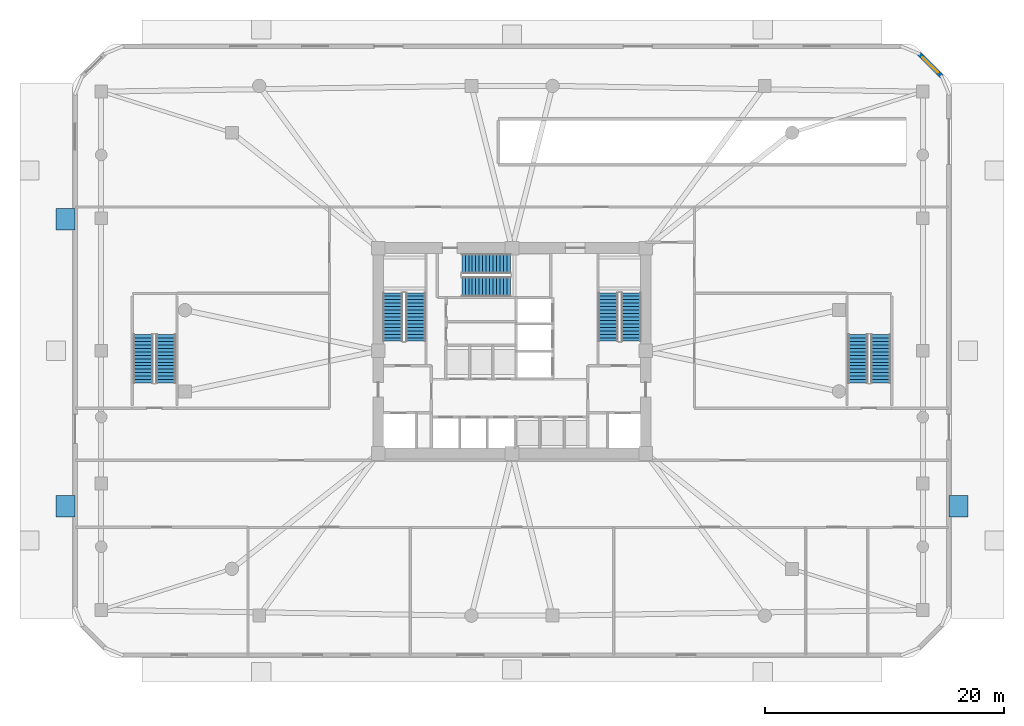
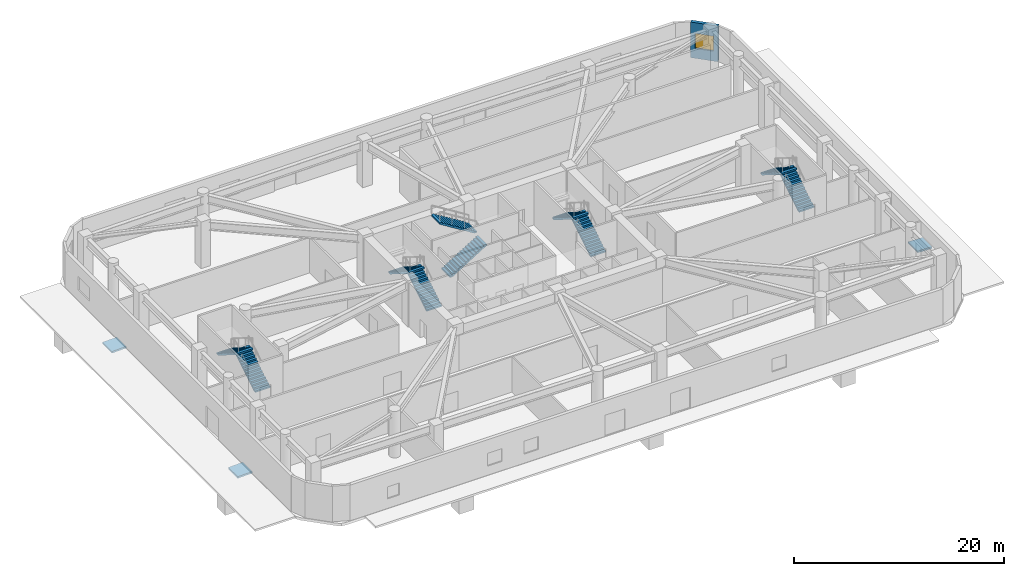
# One storey, part 6 of 9: 10 stair flights, 3 ramp flights, 1 wall, 1 window, 1 opening, 8 elements without a shape of their own.
"""IFC4 building model written with IfcOpenShell, lengths in metres."""

from ifc_helpers import new_model, si_unit, derived_unit, direction, frame, frame_2d, origin, place, context, subcontext, project, spatial, polyline, rectangle, outline, extrude, material, layer, layer_set, type_object, element, fill, aggregate, save


model = new_model("IFC4")

# Units and contexts
model_context = context("Model", 3, precision=1e-05, world=origin(), true_north=direction((0.0, 1.0)))
body_context = subcontext(model_context, "Body", "Model", "MODEL_VIEW")
ifc_project = project(units=[si_unit("LENGTHUNIT", "METRE"), si_unit("AREAUNIT", "SQUARE_METRE"), si_unit("VOLUMEUNIT", "CUBIC_METRE"), si_unit("PLANEANGLEUNIT", "RADIAN"), si_unit("MASSUNIT", "GRAM", prefix="KILO"), derived_unit("THERMALTRANSMITTANCEUNIT", [(si_unit("POWERUNIT", "WATT"), 1), (si_unit("LENGTHUNIT", "METRE"), -2), (si_unit("THERMODYNAMICTEMPERATUREUNIT", "KELVIN"), -1)])], contexts=[model_context])

# Site, building, storey
site_placement = place(None, origin())
site = spatial("IfcSite", under=ifc_project, at=site_placement, CompositionType="ELEMENT")
building_placement = place(site_placement, origin())
building = spatial("IfcBuilding", under=site, at=building_placement, Name="Koralith Skygarden Medical Center", CompositionType="ELEMENT")
storey_placement = place(building_placement, origin())
storey = spatial("IfcBuildingStorey", under=building, at=storey_placement, Name="L00", CompositionType="ELEMENT", Elevation=0.0)

# Wall, opening, window
ifc_material_1 = material(Name="Warm Oolitic Limestone Cladding", Category="masonry")
ifc_layer_1 = layer(ifc_material_1, 0.35009765625)
ifc_layer_set_1 = layer_set([ifc_layer_1], Name="Warm Oolitic Limestone Cladding")
wall_type = type_object("IfcWallType", Name="Podium Station Limestone Facade Wall 350", PredefinedType="SOLIDWALL", material=ifc_layer_set_1)
wall_placement = place(storey_placement, frame((72.97900390625, 48.8720703125, 0.0), z_axis=(0.0, 0.0, 1.0), x_axis=(-0.707106781187, 0.707106781187, 0.0)))
wall = element("IfcWall", 1, at=wall_placement, inside=storey, type_object=wall_type, Name="L00 Podium Exterior Limestone Wall NE", PredefinedType="SOLIDWALL", context=body_context, shape_type="SweptSolid", body=[
    extrude(rectangle(XDim=2.69677734375, YDim=0.35009765625, at=frame_2d((1.348388671875, 0.0))), origin(), (0.0, 0.0, 1.0), 4.139892578125),
])
opening_placement = place(wall_placement, frame((0.448974609375, 0.0, 1.14990234375)))
opening = element("IfcOpeningElement", 2, at=opening_placement, cuts=wall, Name="Opening W-02", PredefinedType="OPENING", context=body_context, shape_type="SweptSolid", body=[
    extrude(rectangle(XDim=1.800048828125, YDim=1.75, at=frame_2d((0.89990234375, 0.875))), frame((0.0, 0.18505859375, 0.0), z_axis=(0.0, -1.0, 0.0), x_axis=(1.0, 0.0, 0.0)), (0.0, 0.0, 1.0), 0.3701171875),
])
ifc_material_2 = material(Name="Clear Laminated Glass", Category="glass")
window_type = type_object("IfcWindowType", Name="Atrium Clerestory Punched Window W-02 1800x1750", PartitioningType="SINGLE_PANEL", PredefinedType="WINDOW", material=ifc_material_2)
window_placement = place(opening_placement, origin())
window = element("IfcWindow", 3, at=window_placement, inside=storey, type_object=window_type, Name="L00 NE Corner Clerestory Window", OverallHeight=1.75, OverallWidth=1.800048828125, PartitioningType="SINGLE_PANEL", PredefinedType="WINDOW", context=body_context, shape_type="SweptSolid", body=[
    extrude(rectangle(XDim=1.800048828125, YDim=1.75, at=frame_2d((0.89990234375, 0.875))), frame((0.0, 0.030029296875, 0.0), z_axis=(0.0, -1.0, 0.0), x_axis=(1.0, 0.0, 0.0)), (0.0, 0.0, 1.0), 0.06005859375),
])
fill(opening, window)

# Stair, stair flights
ifc_material_3 = material(Name="Concrete C45/55", Category="concrete")
stair_type = type_object("IfcStairType", Name="Core Exit Dogleg Concrete Stair", PredefinedType="HALF_TURN_STAIR", material=ifc_material_3)
stair_1_placement = place(storey_placement, origin())
stair_1 = element("IfcStair", 4, at=stair_1_placement, inside=storey, type_object=stair_type, Name="L00 Smokeproof Exit Stair ST1", PredefinedType="HALF_TURN_STAIR")
stair_flight_type = type_object("IfcStairFlightType", Name="Core Exit Concrete Stair Flight 1650", PredefinedType="STRAIGHT", material=ifc_material_3)
stair_flight_1_placement = place(storey_placement, frame((28.925048828125, 26.699951171875, 0.0), z_axis=(0.0, 0.0, 1.0), x_axis=(0.0, 1.0, 0.0)))
stair_flight_1 = element("IfcStairFlight", 5, at=stair_flight_1_placement, type_object=stair_flight_type, Name="ST1 flight 1", NumberOfRisers=15, NumberOfTreads=14, PredefinedType="STRAIGHT", RiserHeight=0.18, TreadLength=0.29, context=body_context, shape_type="SweptSolid", body=[
    extrude(outline(polyline([(0.0, 0.0), (0.0, 0.179931640625), (0.2900390625, 0.179931640625), (0.2900390625, 0.360107421875), (0.580078125, 0.360107421875), (0.580078125, 0.5400390625), (0.8701171875, 0.5400390625), (0.8701171875, 0.719970703125), (1.159912109375, 0.719970703125), (1.159912109375, 0.89990234375), (1.449951171875, 0.89990234375), (1.449951171875, 1.080078125), (1.739990234375, 1.080078125), (1.739990234375, 1.260009765625), (2.030029296875, 1.260009765625), (2.030029296875, 1.43994140625), (2.320068359375, 1.43994140625), (2.320068359375, 1.6201171875), (2.610107421875, 1.6201171875), (2.610107421875, 1.800048828125), (2.89990234375, 1.800048828125), (2.89990234375, 1.97998046875), (3.18994140625, 1.97998046875), (3.18994140625, 2.159912109375), (3.47998046875, 2.159912109375), (3.47998046875, 2.340087890625), (3.77001953125, 2.340087890625), (3.77001953125, 2.52001953125), (4.06005859375, 2.52001953125), (4.06005859375, 2.699951171875), (4.06005859375, 2.343505859375), (0.2841796875, 0.0), (0.0, 0.0)])), frame((0.0, 0.824951171875, 0.0), z_axis=(0.0, -1.0, 0.0), x_axis=(1.0, 0.0, 0.0)), (0.0, 0.0, 1.0), 1.64990234375),
])
stair_flight_2_placement = place(storey_placement, frame((27.02490234375, 30.760009765625, 2.699951171875), z_axis=(0.0, 0.0, 1.0), x_axis=(0.0, -1.0, 0.0)))
stair_flight_2 = element("IfcStairFlight", 6, at=stair_flight_2_placement, type_object=stair_flight_type, Name="ST1 flight 2", NumberOfRisers=15, NumberOfTreads=14, PredefinedType="STRAIGHT", RiserHeight=0.18, TreadLength=0.29, context=body_context, shape_type="SweptSolid", body=[
    extrude(outline(polyline([(0.0, 0.0), (0.0, 0.179931640625), (0.2900390625, 0.179931640625), (0.2900390625, 0.360107421875), (0.580078125, 0.360107421875), (0.580078125, 0.5400390625), (0.8701171875, 0.5400390625), (0.8701171875, 0.719970703125), (1.159912109375, 0.719970703125), (1.159912109375, 0.89990234375), (1.449951171875, 0.89990234375), (1.449951171875, 1.080078125), (1.739990234375, 1.080078125), (1.739990234375, 1.260009765625), (2.030029296875, 1.260009765625), (2.030029296875, 1.43994140625), (2.320068359375, 1.43994140625), (2.320068359375, 1.6201171875), (2.610107421875, 1.6201171875), (2.610107421875, 1.800048828125), (2.89990234375, 1.800048828125), (2.89990234375, 1.97998046875), (3.18994140625, 1.97998046875), (3.18994140625, 2.159912109375), (3.47998046875, 2.159912109375), (3.47998046875, 2.340087890625), (3.77001953125, 2.340087890625), (3.77001953125, 2.52001953125), (4.06005859375, 2.52001953125), (4.06005859375, 2.699951171875), (4.06005859375, 2.343505859375), (0.2841796875, 0.0), (0.0, 0.0)])), frame((0.0, 0.824951171875, 0.0), z_axis=(0.0, -1.0, 0.0), x_axis=(1.0, 0.0, 0.0)), (0.0, 0.0, 1.0), 1.64990234375),
])
aggregate(stair_1, [stair_flight_1, stair_flight_2])

stair_2_placement = place(storey_placement, origin())
stair_2 = element("IfcStair", 7, at=stair_2_placement, inside=storey, type_object=stair_type, Name="L00 Smokeproof Exit Stair ST2", PredefinedType="HALF_TURN_STAIR")
stair_flight_3_placement = place(storey_placement, frame((46.97509765625, 26.699951171875, 0.0), z_axis=(0.0, 0.0, 1.0), x_axis=(0.0, 1.0, 0.0)))
stair_flight_3 = element("IfcStairFlight", 8, at=stair_flight_3_placement, type_object=stair_flight_type, Name="ST2 flight 1", NumberOfRisers=15, NumberOfTreads=14, PredefinedType="STRAIGHT", RiserHeight=0.18, TreadLength=0.29, context=body_context, shape_type="SweptSolid", body=[
    extrude(outline(polyline([(0.0, 0.0), (0.0, 0.179931640625), (0.2900390625, 0.179931640625), (0.2900390625, 0.360107421875), (0.580078125, 0.360107421875), (0.580078125, 0.5400390625), (0.8701171875, 0.5400390625), (0.8701171875, 0.719970703125), (1.159912109375, 0.719970703125), (1.159912109375, 0.89990234375), (1.449951171875, 0.89990234375), (1.449951171875, 1.080078125), (1.739990234375, 1.080078125), (1.739990234375, 1.260009765625), (2.030029296875, 1.260009765625), (2.030029296875, 1.43994140625), (2.320068359375, 1.43994140625), (2.320068359375, 1.6201171875), (2.610107421875, 1.6201171875), (2.610107421875, 1.800048828125), (2.89990234375, 1.800048828125), (2.89990234375, 1.97998046875), (3.18994140625, 1.97998046875), (3.18994140625, 2.159912109375), (3.47998046875, 2.159912109375), (3.47998046875, 2.340087890625), (3.77001953125, 2.340087890625), (3.77001953125, 2.52001953125), (4.06005859375, 2.52001953125), (4.06005859375, 2.699951171875), (4.06005859375, 2.343505859375), (0.2841796875, 0.0), (0.0, 0.0)])), frame((0.0, 0.824951171875, 0.0), z_axis=(0.0, -1.0, 0.0), x_axis=(1.0, 0.0, 0.0)), (0.0, 0.0, 1.0), 1.64990234375),
])
stair_flight_4_placement = place(storey_placement, frame((45.074951171875, 30.760009765625, 2.699951171875), z_axis=(0.0, 0.0, 1.0), x_axis=(0.0, -1.0, 0.0)))
stair_flight_4 = element("IfcStairFlight", 9, at=stair_flight_4_placement, type_object=stair_flight_type, Name="ST2 flight 2", NumberOfRisers=15, NumberOfTreads=14, PredefinedType="STRAIGHT", RiserHeight=0.18, TreadLength=0.29, context=body_context, shape_type="SweptSolid", body=[
    extrude(outline(polyline([(0.0, 0.0), (0.0, 0.179931640625), (0.2900390625, 0.179931640625), (0.2900390625, 0.360107421875), (0.580078125, 0.360107421875), (0.580078125, 0.5400390625), (0.8701171875, 0.5400390625), (0.8701171875, 0.719970703125), (1.159912109375, 0.719970703125), (1.159912109375, 0.89990234375), (1.449951171875, 0.89990234375), (1.449951171875, 1.080078125), (1.739990234375, 1.080078125), (1.739990234375, 1.260009765625), (2.030029296875, 1.260009765625), (2.030029296875, 1.43994140625), (2.320068359375, 1.43994140625), (2.320068359375, 1.6201171875), (2.610107421875, 1.6201171875), (2.610107421875, 1.800048828125), (2.89990234375, 1.800048828125), (2.89990234375, 1.97998046875), (3.18994140625, 1.97998046875), (3.18994140625, 2.159912109375), (3.47998046875, 2.159912109375), (3.47998046875, 2.340087890625), (3.77001953125, 2.340087890625), (3.77001953125, 2.52001953125), (4.06005859375, 2.52001953125), (4.06005859375, 2.699951171875), (4.06005859375, 2.343505859375), (0.2841796875, 0.0), (0.0, 0.0)])), frame((0.0, 0.824951171875, 0.0), z_axis=(0.0, -1.0, 0.0), x_axis=(1.0, 0.0, 0.0)), (0.0, 0.0, 1.0), 1.64990234375),
])
aggregate(stair_2, [stair_flight_3, stair_flight_4])

stair_3_placement = place(storey_placement, origin())
stair_3 = element("IfcStair", 10, at=stair_3_placement, inside=storey, type_object=stair_type, Name="L00 Smokeproof Exit Stair ST3", PredefinedType="HALF_TURN_STAIR")
stair_flight_5_placement = place(storey_placement, frame((32.800048828125, 31.27490234375, 0.0), z_axis=(0.0, 0.0, 1.0), x_axis=(1.0, 0.0, 0.0)))
stair_flight_5 = element("IfcStairFlight", 11, at=stair_flight_5_placement, type_object=stair_flight_type, Name="ST3 flight 1", NumberOfRisers=15, NumberOfTreads=14, PredefinedType="STRAIGHT", RiserHeight=0.18, TreadLength=0.29, context=body_context, shape_type="SweptSolid", body=[
    extrude(outline(polyline([(0.0, 0.0), (0.0, 0.179931640625), (0.2900390625, 0.179931640625), (0.2900390625, 0.360107421875), (0.580078125, 0.360107421875), (0.580078125, 0.5400390625), (0.8701171875, 0.5400390625), (0.8701171875, 0.719970703125), (1.159912109375, 0.719970703125), (1.159912109375, 0.89990234375), (1.449951171875, 0.89990234375), (1.449951171875, 1.080078125), (1.739990234375, 1.080078125), (1.739990234375, 1.260009765625), (2.030029296875, 1.260009765625), (2.030029296875, 1.43994140625), (2.320068359375, 1.43994140625), (2.320068359375, 1.6201171875), (2.610107421875, 1.6201171875), (2.610107421875, 1.800048828125), (2.89990234375, 1.800048828125), (2.89990234375, 1.97998046875), (3.18994140625, 1.97998046875), (3.18994140625, 2.159912109375), (3.47998046875, 2.159912109375), (3.47998046875, 2.340087890625), (3.77001953125, 2.340087890625), (3.77001953125, 2.52001953125), (4.06005859375, 2.52001953125), (4.06005859375, 2.699951171875), (4.06005859375, 2.343505859375), (0.2841796875, 0.0), (0.0, 0.0)])), frame((0.0, 0.824951171875, 0.0), z_axis=(0.0, -1.0, 0.0), x_axis=(1.0, 0.0, 0.0)), (0.0, 0.0, 1.0), 1.64990234375),
])
stair_flight_6_placement = place(storey_placement, frame((36.860107421875, 33.175048828125, 2.699951171875), z_axis=(0.0, 0.0, 1.0), x_axis=(-1.0, 0.0, 0.0)))
stair_flight_6 = element("IfcStairFlight", 12, at=stair_flight_6_placement, type_object=stair_flight_type, Name="ST3 flight 2", NumberOfRisers=15, NumberOfTreads=14, PredefinedType="STRAIGHT", RiserHeight=0.18, TreadLength=0.29, context=body_context, shape_type="SweptSolid", body=[
    extrude(outline(polyline([(0.0, 0.0), (0.0, 0.179931640625), (0.2900390625, 0.179931640625), (0.2900390625, 0.360107421875), (0.580078125, 0.360107421875), (0.580078125, 0.5400390625), (0.8701171875, 0.5400390625), (0.8701171875, 0.719970703125), (1.159912109375, 0.719970703125), (1.159912109375, 0.89990234375), (1.449951171875, 0.89990234375), (1.449951171875, 1.080078125), (1.739990234375, 1.080078125), (1.739990234375, 1.260009765625), (2.030029296875, 1.260009765625), (2.030029296875, 1.43994140625), (2.320068359375, 1.43994140625), (2.320068359375, 1.6201171875), (2.610107421875, 1.6201171875), (2.610107421875, 1.800048828125), (2.89990234375, 1.800048828125), (2.89990234375, 1.97998046875), (3.18994140625, 1.97998046875), (3.18994140625, 2.159912109375), (3.47998046875, 2.159912109375), (3.47998046875, 2.340087890625), (3.77001953125, 2.340087890625), (3.77001953125, 2.52001953125), (4.06005859375, 2.52001953125), (4.06005859375, 2.699951171875), (4.06005859375, 2.343505859375), (0.2841796875, 0.0), (0.0, 0.0)])), frame((0.0, 0.824951171875, 0.0), z_axis=(0.0, -1.0, 0.0), x_axis=(1.0, 0.0, 0.0)), (0.0, 0.0, 1.0), 1.64990234375),
])
aggregate(stair_3, [stair_flight_5, stair_flight_6])

stair_4_placement = place(storey_placement, origin())
stair_4 = element("IfcStair", 13, at=stair_4_placement, inside=storey, type_object=stair_type, Name="L00 Podium Smokeproof Exit Stair ST4", PredefinedType="HALF_TURN_STAIR")
stair_flight_7_placement = place(storey_placement, frame((8.02490234375, 23.199951171875, 0.0), z_axis=(0.0, 0.0, 1.0), x_axis=(0.0, 1.0, 0.0)))
stair_flight_7 = element("IfcStairFlight", 14, at=stair_flight_7_placement, type_object=stair_flight_type, Name="ST4 flight 1", NumberOfRisers=15, NumberOfTreads=14, PredefinedType="STRAIGHT", RiserHeight=0.18, TreadLength=0.29, context=body_context, shape_type="SweptSolid", body=[
    extrude(outline(polyline([(0.0, 0.0), (0.0, 0.179931640625), (0.2900390625, 0.179931640625), (0.2900390625, 0.360107421875), (0.580078125, 0.360107421875), (0.580078125, 0.5400390625), (0.8701171875, 0.5400390625), (0.8701171875, 0.719970703125), (1.159912109375, 0.719970703125), (1.159912109375, 0.89990234375), (1.449951171875, 0.89990234375), (1.449951171875, 1.080078125), (1.739990234375, 1.080078125), (1.739990234375, 1.260009765625), (2.030029296875, 1.260009765625), (2.030029296875, 1.43994140625), (2.320068359375, 1.43994140625), (2.320068359375, 1.6201171875), (2.610107421875, 1.6201171875), (2.610107421875, 1.800048828125), (2.89990234375, 1.800048828125), (2.89990234375, 1.97998046875), (3.18994140625, 1.97998046875), (3.18994140625, 2.159912109375), (3.47998046875, 2.159912109375), (3.47998046875, 2.340087890625), (3.77001953125, 2.340087890625), (3.77001953125, 2.52001953125), (4.06005859375, 2.52001953125), (4.06005859375, 2.699951171875), (4.06005859375, 2.343505859375), (0.2841796875, 0.0), (0.0, 0.0)])), frame((0.0, 0.824951171875, 0.0), z_axis=(0.0, -1.0, 0.0), x_axis=(1.0, 0.0, 0.0)), (0.0, 0.0, 1.0), 1.64990234375),
])
stair_flight_8_placement = place(storey_placement, frame((6.125, 27.260009765625, 2.699951171875), z_axis=(0.0, 0.0, 1.0), x_axis=(0.0, -1.0, 0.0)))
stair_flight_8 = element("IfcStairFlight", 15, at=stair_flight_8_placement, type_object=stair_flight_type, Name="ST4 flight 2", NumberOfRisers=15, NumberOfTreads=14, PredefinedType="STRAIGHT", RiserHeight=0.18, TreadLength=0.29, context=body_context, shape_type="SweptSolid", body=[
    extrude(outline(polyline([(0.0, 0.0), (0.0, 0.179931640625), (0.2900390625, 0.179931640625), (0.2900390625, 0.360107421875), (0.580078125, 0.360107421875), (0.580078125, 0.5400390625), (0.8701171875, 0.5400390625), (0.8701171875, 0.719970703125), (1.159912109375, 0.719970703125), (1.159912109375, 0.89990234375), (1.449951171875, 0.89990234375), (1.449951171875, 1.080078125), (1.739990234375, 1.080078125), (1.739990234375, 1.260009765625), (2.030029296875, 1.260009765625), (2.030029296875, 1.43994140625), (2.320068359375, 1.43994140625), (2.320068359375, 1.6201171875), (2.610107421875, 1.6201171875), (2.610107421875, 1.800048828125), (2.89990234375, 1.800048828125), (2.89990234375, 1.97998046875), (3.18994140625, 1.97998046875), (3.18994140625, 2.159912109375), (3.47998046875, 2.159912109375), (3.47998046875, 2.340087890625), (3.77001953125, 2.340087890625), (3.77001953125, 2.52001953125), (4.06005859375, 2.52001953125), (4.06005859375, 2.699951171875), (4.06005859375, 2.343505859375), (0.2841796875, 0.0), (0.0, 0.0)])), frame((0.0, 0.824951171875, 0.0), z_axis=(0.0, -1.0, 0.0), x_axis=(1.0, 0.0, 0.0)), (0.0, 0.0, 1.0), 1.64990234375),
])
aggregate(stair_4, [stair_flight_7, stair_flight_8])

stair_5_placement = place(storey_placement, origin())
stair_5 = element("IfcStair", 16, at=stair_5_placement, inside=storey, type_object=stair_type, Name="L00 Podium Smokeproof Exit Stair ST5", PredefinedType="HALF_TURN_STAIR")
stair_flight_9_placement = place(storey_placement, frame((67.875, 23.199951171875, 0.0), z_axis=(0.0, 0.0, 1.0), x_axis=(0.0, 1.0, 0.0)))
stair_flight_9 = element("IfcStairFlight", 17, at=stair_flight_9_placement, type_object=stair_flight_type, Name="ST5 flight 1", NumberOfRisers=15, NumberOfTreads=14, PredefinedType="STRAIGHT", RiserHeight=0.18, TreadLength=0.29, context=body_context, shape_type="SweptSolid", body=[
    extrude(outline(polyline([(0.0, 0.0), (0.0, 0.179931640625), (0.2900390625, 0.179931640625), (0.2900390625, 0.360107421875), (0.580078125, 0.360107421875), (0.580078125, 0.5400390625), (0.8701171875, 0.5400390625), (0.8701171875, 0.719970703125), (1.159912109375, 0.719970703125), (1.159912109375, 0.89990234375), (1.449951171875, 0.89990234375), (1.449951171875, 1.080078125), (1.739990234375, 1.080078125), (1.739990234375, 1.260009765625), (2.030029296875, 1.260009765625), (2.030029296875, 1.43994140625), (2.320068359375, 1.43994140625), (2.320068359375, 1.6201171875), (2.610107421875, 1.6201171875), (2.610107421875, 1.800048828125), (2.89990234375, 1.800048828125), (2.89990234375, 1.97998046875), (3.18994140625, 1.97998046875), (3.18994140625, 2.159912109375), (3.47998046875, 2.159912109375), (3.47998046875, 2.340087890625), (3.77001953125, 2.340087890625), (3.77001953125, 2.52001953125), (4.06005859375, 2.52001953125), (4.06005859375, 2.699951171875), (4.06005859375, 2.343505859375), (0.2841796875, 0.0), (0.0, 0.0)])), frame((0.0, 0.824951171875, 0.0), z_axis=(0.0, -1.0, 0.0), x_axis=(1.0, 0.0, 0.0)), (0.0, 0.0, 1.0), 1.64990234375),
])
stair_flight_10_placement = place(storey_placement, frame((65.97509765625, 27.260009765625, 2.699951171875), z_axis=(0.0, 0.0, 1.0), x_axis=(0.0, -1.0, 0.0)))
stair_flight_10 = element("IfcStairFlight", 18, at=stair_flight_10_placement, type_object=stair_flight_type, Name="ST5 flight 2", NumberOfRisers=15, NumberOfTreads=14, PredefinedType="STRAIGHT", RiserHeight=0.18, TreadLength=0.29, context=body_context, shape_type="SweptSolid", body=[
    extrude(outline(polyline([(0.0, 0.0), (0.0, 0.179931640625), (0.2900390625, 0.179931640625), (0.2900390625, 0.360107421875), (0.580078125, 0.360107421875), (0.580078125, 0.5400390625), (0.8701171875, 0.5400390625), (0.8701171875, 0.719970703125), (1.159912109375, 0.719970703125), (1.159912109375, 0.89990234375), (1.449951171875, 0.89990234375), (1.449951171875, 1.080078125), (1.739990234375, 1.080078125), (1.739990234375, 1.260009765625), (2.030029296875, 1.260009765625), (2.030029296875, 1.43994140625), (2.320068359375, 1.43994140625), (2.320068359375, 1.6201171875), (2.610107421875, 1.6201171875), (2.610107421875, 1.800048828125), (2.89990234375, 1.800048828125), (2.89990234375, 1.97998046875), (3.18994140625, 1.97998046875), (3.18994140625, 2.159912109375), (3.47998046875, 2.159912109375), (3.47998046875, 2.340087890625), (3.77001953125, 2.340087890625), (3.77001953125, 2.52001953125), (4.06005859375, 2.52001953125), (4.06005859375, 2.699951171875), (4.06005859375, 2.343505859375), (0.2841796875, 0.0), (0.0, 0.0)])), frame((0.0, 0.824951171875, 0.0), z_axis=(0.0, -1.0, 0.0), x_axis=(1.0, 0.0, 0.0)), (0.0, 0.0, 1.0), 1.64990234375),
])
aggregate(stair_5, [stair_flight_9, stair_flight_10])

# Ramp, ramp flight
ramp_type = type_object("IfcRampType", Name="Accessible Pedestrian Ramp", PredefinedType="STRAIGHT_RUN_RAMP", material=ifc_material_3)
ramp_1_placement = place(storey_placement, origin())
ramp_1 = element("IfcRamp", 19, at=ramp_1_placement, inside=storey, type_object=ramp_type, Name="Accessible Plaza Entrance Ramp W1", PredefinedType="STRAIGHT_RUN_RAMP")
ifc_layer_2 = layer(ifc_material_3, 0.199951171875)
ifc_layer_set_2 = layer_set([ifc_layer_2], Name="Concrete C45/55")
ramp_flight_type = type_object("IfcRampFlightType", Name="Accessible Pedestrian Ramp Flight 200", PredefinedType="STRAIGHT", material=ifc_layer_set_2)
ramp_flight_1_placement = place(storey_placement, frame((-1.199951171875, 12.0, -0.050048828125), z_axis=(-0.031268085144, 0.0, 0.999511033882), x_axis=(0.999511033882, 0.0, 0.031268085144)))
ramp_flight_1 = element("IfcRampFlight", 20, at=ramp_flight_1_placement, type_object=ramp_flight_type, Name="Accessible Plaza Entrance Ramp Flight W1", PredefinedType="STRAIGHT", context=body_context, shape_type="SweptSolid", body=[
    extrude(outline(polyline([(0.0, 0.0), (1.6006361724809164, 0.0), (1.6006361724809164, 1.800048828125), (0.0, 1.800048828125), (0.0, 0.0)])), origin(), (0.0, 0.0, -1.0), 0.199951171875),
])
aggregate(ramp_1, [ramp_flight_1])

ramp_2_placement = place(storey_placement, origin())
ramp_2 = element("IfcRamp", 21, at=ramp_2_placement, inside=storey, type_object=ramp_type, Name="Accessible Plaza Entrance Ramp W2", PredefinedType="STRAIGHT_RUN_RAMP")
ramp_flight_2_placement = place(storey_placement, frame((-1.199951171875, 36.0, -0.050048828125), z_axis=(-0.031268085144, 0.0, 0.999511033882), x_axis=(0.999511033882, 0.0, 0.031268085144)))
ramp_flight_2 = element("IfcRampFlight", 22, at=ramp_flight_2_placement, type_object=ramp_flight_type, Name="Accessible Plaza Entrance Ramp Flight W2", PredefinedType="STRAIGHT", context=body_context, shape_type="SweptSolid", body=[
    extrude(outline(polyline([(0.0, 0.0), (1.6006361724809164, 0.0), (1.6006361724809164, 1.800048828125), (0.0, 1.800048828125), (0.0, 0.0)])), origin(), (0.0, 0.0, -1.0), 0.199951171875),
])
aggregate(ramp_2, [ramp_flight_2])

ramp_3_placement = place(storey_placement, origin())
ramp_3 = element("IfcRamp", 23, at=ramp_3_placement, inside=storey, type_object=ramp_type, Name="Accessible Plaza Entrance Ramp E1", PredefinedType="STRAIGHT_RUN_RAMP")
ramp_flight_3_placement = place(storey_placement, frame((75.199951171875, 12.0, -0.050048828125), z_axis=(0.031268085144, 0.0, 0.999511033882), x_axis=(-0.999511033882, 0.0, 0.031268085144)))
ramp_flight_3 = element("IfcRampFlight", 24, at=ramp_flight_3_placement, type_object=ramp_flight_type, Name="Accessible Plaza Entrance Ramp Flight E1", PredefinedType="STRAIGHT", context=body_context, shape_type="SweptSolid", body=[
    extrude(outline(polyline([(0.0, 0.0), (1.6006361724809164, 0.0), (1.6006361724809164, -1.800048828125), (0.0, -1.800048828125), (0.0, 0.0)])), origin(), (0.0, 0.0, -1.0), 0.199951171875),
])
aggregate(ramp_3, [ramp_flight_3])

save(model, "model.ifc")
